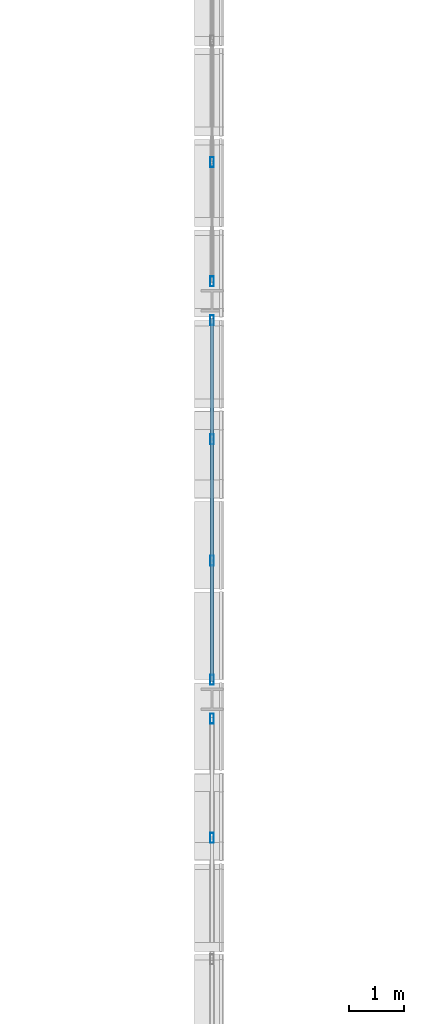
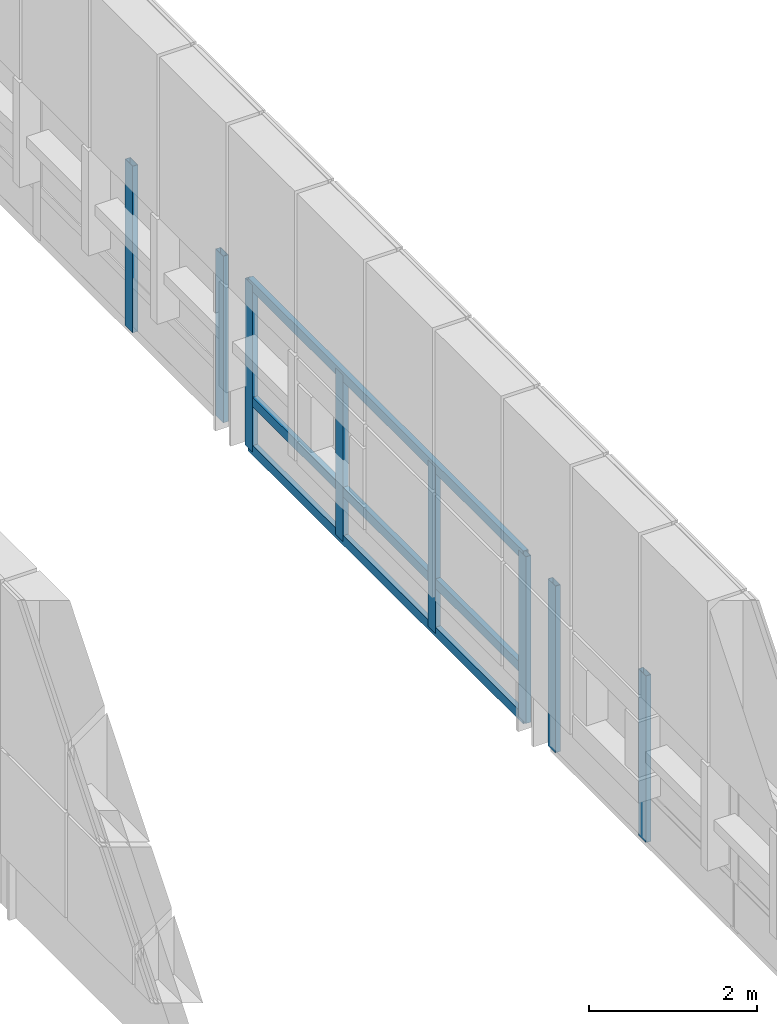
# One storey, part 17 of 96: 11 members, 3 elements without a shape of their own.
"""IFC4 building model written with IfcOpenShell, lengths in metres."""

from ifc_helpers import new_model, si_unit, direction, frame, origin, origin_2d, place, context, subcontext, project, spatial, hollow_rectangle, extrude, material, material_profile, profile_set, type_object, element, aggregate, save


model = new_model("IFC4")

# Units and contexts
model_context = context("Model", 3, precision=1e-05, world=origin(), true_north=direction((0.0, 1.0)))
body_context = subcontext(model_context, "Body", "Model", "MODEL_VIEW")
ifc_project = project(units=[si_unit("LENGTHUNIT", "METRE"), si_unit("AREAUNIT", "SQUARE_METRE"), si_unit("VOLUMEUNIT", "CUBIC_METRE"), si_unit("PLANEANGLEUNIT", "RADIAN"), si_unit("MASSUNIT", "GRAM", prefix="KILO")], contexts=[model_context])

# Site, building, storey
site_placement = place(None, origin())
site = spatial("IfcSite", under=ifc_project, at=site_placement, CompositionType="ELEMENT")
building_placement = place(site_placement, origin())
building = spatial("IfcBuilding", under=site, at=building_placement, Name="Yarey Park Central Fire Station", CompositionType="ELEMENT")
storey_placement = place(building_placement, frame((0.0, 0.0, 14.39990234375)))
storey = spatial("IfcBuildingStorey", under=building, at=storey_placement, Name="L04", CompositionType="ELEMENT", Elevation=14.39990234375)

# Curtain wall, members
ifc_material = material(Name="Anodized Aluminium Frame", Category="aluminium")
curtain_wall_type = type_object("IfcCurtainWallType", Name="ENV_CW_V3_OVR2", PredefinedType="NOTDEFINED", material=ifc_material)
curtain_wall_1_placement = place(storey_placement, origin())
curtain_wall_1 = element("IfcCurtainWall", 1, at=curtain_wall_1_placement, inside=storey, type_object=curtain_wall_type, Name="CW_L04_V1_E_075", PredefinedType="NOTDEFINED")
ifc_material_profile_1 = material_profile(ifc_material, hollow_rectangle(XDim=0.070068359375, YDim=0.179931640625, WallThickness=0.00390625, at=origin_2d()), Name="ALU 180x70x4")
ifc_profile_set_1 = profile_set([ifc_material_profile_1], Name="Anodized Aluminium Frame")
member_type_1 = type_object("IfcMemberType", Name="ENV_CW_MULLION", PredefinedType="MULLION", material=ifc_profile_set_1)
member_1_placement = place(storey_placement, frame((57.60009765625, 33.49658203125, 0.0), z_axis=(0.0, 0.0, 1.0), x_axis=(1.0, 0.0, 0.0)))
member_1 = element("IfcMember", 2, at=member_1_placement, type_object=member_type_1, Name="CW_L04_V1_E_075_MUL3", PredefinedType="MULLION", context=body_context, shape_type="SweptSolid", body=[
    extrude(hollow_rectangle(XDim=0.070068359375, YDim=0.179931640625, WallThickness=0.00390625, at=origin_2d()), origin(), (0.0, 0.0, 1.0), 2.420166015625),
])
member_2_placement = place(storey_placement, frame((57.60009765625, 35.64990234375, 0.0), z_axis=(0.0, 0.0, 1.0), x_axis=(1.0, 0.0, 0.0)))
member_2 = element("IfcMember", 3, at=member_2_placement, type_object=member_type_1, Name="CW_L04_V1_E_075_MUL4", PredefinedType="MULLION", context=body_context, shape_type="SweptSolid", body=[
    extrude(hollow_rectangle(XDim=0.070068359375, YDim=0.179931640625, WallThickness=0.00390625, at=origin_2d()), origin(), (0.0, 0.0, 1.0), 2.420166015625),
])
aggregate(curtain_wall_1, [member_1, member_2])

curtain_wall_2_placement = place(storey_placement, origin())
curtain_wall_2 = element("IfcCurtainWall", 4, at=curtain_wall_2_placement, inside=storey, type_object=curtain_wall_type, Name="CW_L04_V1_E_076", PredefinedType="NOTDEFINED")
member_3_placement = place(storey_placement, frame((57.60009765625, 36.35009765625, 0.0), z_axis=(0.0, 0.0, 1.0), x_axis=(1.0, 0.0, 0.0)))
member_3 = element("IfcMember", 5, at=member_3_placement, type_object=member_type_1, Name="CW_L04_V1_E_076_MUL1", PredefinedType="MULLION", context=body_context, shape_type="SweptSolid", body=[
    extrude(hollow_rectangle(XDim=0.070068359375, YDim=0.179931640625, WallThickness=0.00390625, at=origin_2d()), origin(), (0.0, 0.0, 1.0), 2.420166015625),
])
member_4_placement = place(storey_placement, frame((57.60009765625, 38.50341796875, 0.0), z_axis=(0.0, 0.0, 1.0), x_axis=(1.0, 0.0, 0.0)))
member_4 = element("IfcMember", 6, at=member_4_placement, type_object=member_type_1, Name="CW_L04_V1_E_076_MUL2", PredefinedType="MULLION", context=body_context, shape_type="SweptSolid", body=[
    extrude(hollow_rectangle(XDim=0.070068359375, YDim=0.179931640625, WallThickness=0.00390625, at=origin_2d()), origin(), (0.0, 0.0, 1.0), 2.420166015625),
])
member_5_placement = place(storey_placement, frame((57.60009765625, 40.69677734375, 0.0), z_axis=(0.0, 0.0, 1.0), x_axis=(1.0, 0.0, 0.0)))
member_5 = element("IfcMember", 7, at=member_5_placement, type_object=member_type_1, Name="CW_L04_V1_E_076_MUL3", PredefinedType="MULLION", context=body_context, shape_type="SweptSolid", body=[
    extrude(hollow_rectangle(XDim=0.070068359375, YDim=0.179931640625, WallThickness=0.00390625, at=origin_2d()), origin(), (0.0, 0.0, 1.0), 2.420166015625),
])
member_6_placement = place(storey_placement, frame((57.60009765625, 42.85009765625, 0.0), z_axis=(0.0, 0.0, 1.0), x_axis=(1.0, 0.0, 0.0)))
member_6 = element("IfcMember", 8, at=member_6_placement, type_object=member_type_1, Name="CW_L04_V1_E_076_MUL4", PredefinedType="MULLION", context=body_context, shape_type="SweptSolid", body=[
    extrude(hollow_rectangle(XDim=0.070068359375, YDim=0.179931640625, WallThickness=0.00390625, at=origin_2d()), origin(), (0.0, 0.0, 1.0), 2.420166015625),
])

curtain_wall_3_placement = place(storey_placement, origin())
curtain_wall_3 = element("IfcCurtainWall", 9, at=curtain_wall_3_placement, inside=storey, type_object=curtain_wall_type, Name="CW_L04_V1_E_077", PredefinedType="NOTDEFINED")
member_7_placement = place(storey_placement, frame((57.60009765625, 43.550048828125, 0.0), z_axis=(0.0, 0.0, 1.0), x_axis=(1.0, 0.0, 0.0)))
member_7 = element("IfcMember", 10, at=member_7_placement, type_object=member_type_1, Name="CW_L04_V1_E_077_MUL1", PredefinedType="MULLION", context=body_context, shape_type="SweptSolid", body=[
    extrude(hollow_rectangle(XDim=0.070068359375, YDim=0.179931640625, WallThickness=0.00390625, at=origin_2d()), origin(), (0.0, 0.0, 1.0), 2.420166015625),
])
member_8_placement = place(storey_placement, frame((57.60009765625, 45.703369140625, 0.0), z_axis=(0.0, 0.0, 1.0), x_axis=(1.0, 0.0, 0.0)))
member_8 = element("IfcMember", 11, at=member_8_placement, type_object=member_type_1, Name="CW_L04_V1_E_077_MUL2", PredefinedType="MULLION", context=body_context, shape_type="SweptSolid", body=[
    extrude(hollow_rectangle(XDim=0.070068359375, YDim=0.179931640625, WallThickness=0.00390625, at=origin_2d()), origin(), (0.0, 0.0, 1.0), 2.420166015625),
])
aggregate(curtain_wall_3, [member_7, member_8])

# Member
ifc_material_profile_2 = material_profile(ifc_material, hollow_rectangle(XDim=0.070068359375, YDim=0.139892578125, WallThickness=0.00390625, at=origin_2d()), Name="ALU 140x70x4")
ifc_profile_set_2 = profile_set([ifc_material_profile_2], Name="Anodized Aluminium Frame")
member_type_2 = type_object("IfcMemberType", Name="ENV_CW_TRANSOM", PredefinedType="USERDEFINED", material=ifc_profile_set_2)
member_9_placement = place(storey_placement, frame((57.60009765625, 36.324951171875, 0.025146484375), z_axis=(0.0, 1.0, 0.0), x_axis=(-1.0, 0.0, 0.0)))
member_9 = element("IfcMember", 12, at=member_9_placement, type_object=member_type_2, Name="CW_L04_V1_E_076_TRN1", ObjectType="TRANSOM", PredefinedType="USERDEFINED", context=body_context, shape_type="SweptSolid", body=[
    extrude(hollow_rectangle(XDim=0.070068359375, YDim=0.139892578125, WallThickness=0.00390625, at=origin_2d()), origin(), (0.0, 0.0, 1.0), 6.550048828125),
])

member_10_placement = place(storey_placement, frame((57.60009765625, 36.324951171875, 0.72607421875), z_axis=(0.0, 1.0, 0.0), x_axis=(-1.0, 0.0, 0.0)))
member_10 = element("IfcMember", 13, at=member_10_placement, type_object=member_type_2, Name="CW_L04_V1_E_076_TRN2", ObjectType="TRANSOM", PredefinedType="USERDEFINED", context=body_context, shape_type="SweptSolid", body=[
    extrude(hollow_rectangle(XDim=0.070068359375, YDim=0.139892578125, WallThickness=0.00390625, at=origin_2d()), origin(), (0.0, 0.0, 1.0), 6.550048828125),
])

member_11_placement = place(storey_placement, frame((57.60009765625, 36.324951171875, 2.39501953125), z_axis=(0.0, 1.0, 0.0), x_axis=(-1.0, 0.0, 0.0)))
member_11 = element("IfcMember", 14, at=member_11_placement, type_object=member_type_2, Name="CW_L04_V1_E_076_TRN3", ObjectType="TRANSOM", PredefinedType="USERDEFINED", context=body_context, shape_type="SweptSolid", body=[
    extrude(hollow_rectangle(XDim=0.070068359375, YDim=0.139892578125, WallThickness=0.00390625, at=origin_2d()), origin(), (0.0, 0.0, 1.0), 6.550048828125),
])

aggregate(curtain_wall_2, [member_3, member_4, member_5, member_6, member_9, member_10, member_11])

save(model, "model.ifc")
